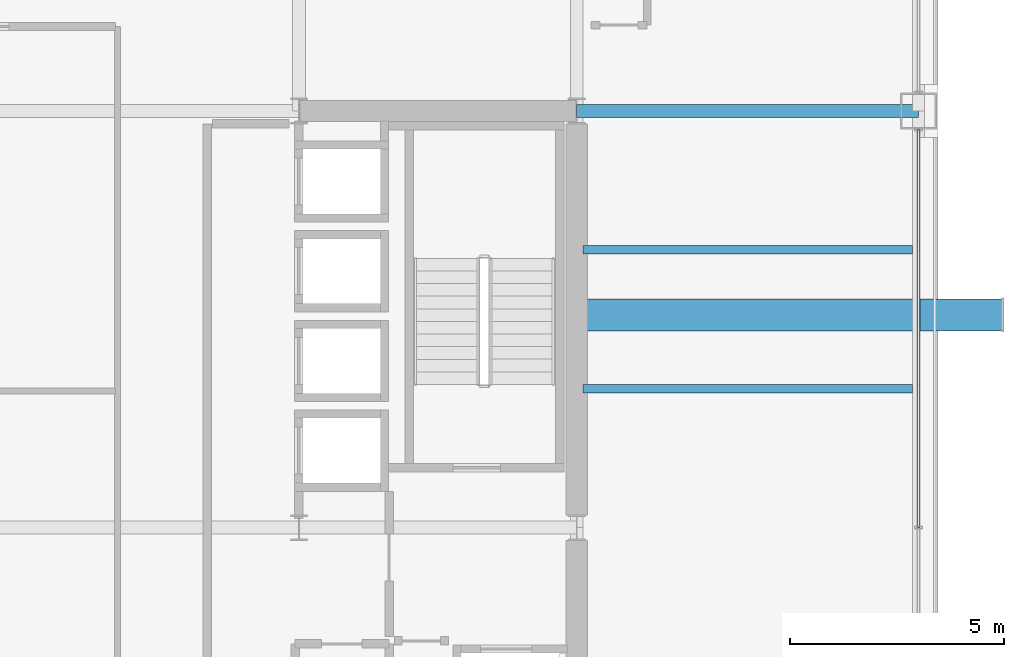
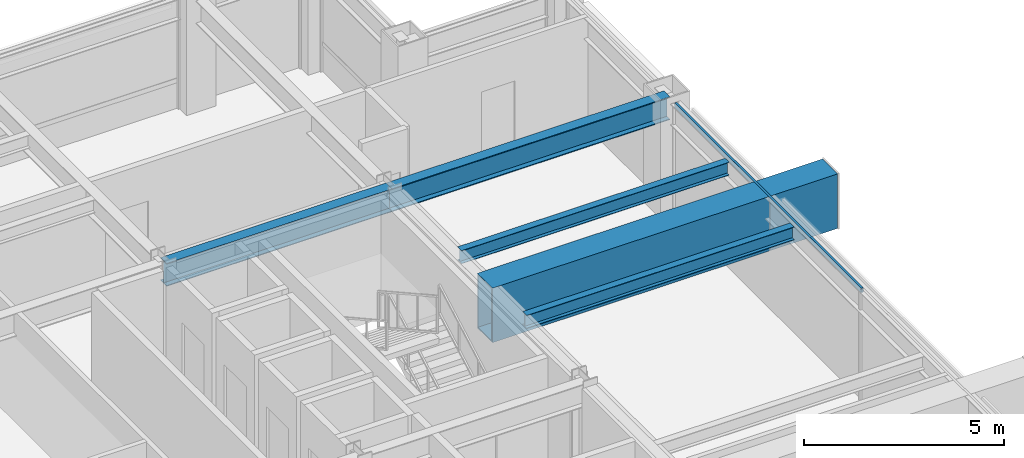
# One storey, part 19 of 34: 6 beams, 1 member, 1 element without a shape of its own.
"""IFC4 building model written with IfcOpenShell, lengths in metres."""

import ifcopenshell
import ifcopenshell.guid

model = None  # the IFC model being written
_history = None  # IfcOwnerHistory: only IFC2X3 demands one
_inside = {}  # id of a spatial element -> (the spatial element, [elements in it])
_under = {}  # id of a project, library or spatial element -> (it, [spatial elements below it])
_declared = {}  # id of a project -> (the project, [libraries it declares])
_typed = {}  # id of a type object -> (the type object, [elements of that type])
_made_of = {}  # id of a material, layer set ... -> (it, [elements and type objects made of it])


def new_model(schema):
    """Start an empty IFC model of exactly this schema.

    Asked for "IFC4X3", IfcOpenShell would pick the latest addendum, in which some entities
    have other attributes; the version numbers below select the first issue.
    IFC2X3 requires an IfcOwnerHistory on every rooted entity: one is made here for all.
    """
    global model, _history
    if schema == "IFC4X3":
        model = ifcopenshell.file(schema_version=(4, 3, 0, 0))
    else:
        model = ifcopenshell.file(schema=schema)
    _inside.clear()
    _under.clear()
    _declared.clear()
    _typed.clear()
    _made_of.clear()
    _history = None
    if model.schema == "IFC2X3":
        org = make("IfcOrganization", Name="unknown")
        user = make(
            "IfcPersonAndOrganization",
            ThePerson=make("IfcPerson", FamilyName="unknown"),
            TheOrganization=org,
        )
        app = make(
            "IfcApplication",
            ApplicationDeveloper=org,
            Version="unknown",
            ApplicationFullName="unknown",
            ApplicationIdentifier="unknown",
        )
        _history = make(
            "IfcOwnerHistory",
            OwningUser=user,
            OwningApplication=app,
            ChangeAction="ADDED",
            CreationDate=0,
        )
    return model


def make(cls, **values):
    """One entity of the class cls with the attributes given. An attribute that is None is left unset."""
    return model.create_entity(
        cls, **{name: value for name, value in values.items() if value is not None}
    )


def rooted(cls, **values):
    """An entity with a GlobalId (a new one), such as an element, a storey or a relation."""
    return make(cls, GlobalId=ifcopenshell.guid.new(), OwnerHistory=_history, **values)


def si_unit(unit_type, name, prefix=None):
    """IfcSIUnit, for example si_unit("LENGTHUNIT", "METRE", prefix="MILLI")."""
    return make("IfcSIUnit", UnitType=unit_type, Prefix=prefix, Name=name)


def assignment(units):
    """IfcUnitAssignment: the units of a project."""
    return None if units is None else make("IfcUnitAssignment", Units=units)


def point(xyz):
    """IfcCartesianPoint."""
    return None if xyz is None else make("IfcCartesianPoint", Coordinates=xyz)


def direction(xyz):
    """IfcDirection."""
    return None if xyz is None else make("IfcDirection", DirectionRatios=xyz)


def frame(location, z_axis=None, x_axis=None):
    """IfcAxis2Placement3D, a coordinate frame: its origin and axes. An axis left out is left unset."""
    return make(
        "IfcAxis2Placement3D",
        Location=point(location),
        Axis=direction(z_axis),
        RefDirection=direction(x_axis),
    )


def frame_2d(location, x_axis=None):
    """IfcAxis2Placement2D, a coordinate frame in the plane: its origin and x axis."""
    return make(
        "IfcAxis2Placement2D", Location=point(location), RefDirection=direction(x_axis)
    )


def origin():
    """The frame at (0, 0, 0) with its axes left unset."""
    return frame((0.0, 0.0, 0.0))


def origin_2d():
    """The frame at (0, 0) in the plane with its x axis left unset."""
    return frame_2d((0.0, 0.0))


def place(relative_to, where):
    """IfcLocalPlacement: puts the frame where relative to a parent placement (None: the world)."""
    return make(
        "IfcLocalPlacement", PlacementRelTo=relative_to, RelativePlacement=where
    )


def context(
    kind, dimensions, precision=None, world=None, true_north=None, identifier=None
):
    """IfcGeometricRepresentationContext, for example the 3D "Model" context."""
    return make(
        "IfcGeometricRepresentationContext",
        ContextIdentifier=identifier,
        ContextType=kind,
        CoordinateSpaceDimension=dimensions,
        Precision=precision,
        WorldCoordinateSystem=world,
        TrueNorth=true_north,
    )


def subcontext(parent, identifier, kind, view, scale=None):
    """IfcGeometricRepresentationSubContext, for example "Body" below "Model"."""
    return make(
        "IfcGeometricRepresentationSubContext",
        ContextIdentifier=identifier,
        ContextType=kind,
        ParentContext=parent,
        TargetScale=scale,
        TargetView=view,
    )


def project(units=None, contexts=None):
    """IfcProject with its units and contexts."""
    return rooted(
        "IfcProject",
        Name="project",
        RepresentationContexts=contexts,
        UnitsInContext=assignment(units),
    )


def spatial(cls, under=None, at=None, **own):
    """A site, building, storey or space (cls), placed at a placement, below another one or the project."""
    s = rooted(cls, ObjectPlacement=at, **own)
    if under is not None:
        _under.setdefault(under.id(), (under, []))[1].append(s)
    return s


def profile(cls, at=None, kind="AREA", **sizes):
    """A parametric profile (cls). Its sizes go by their IFC names, for example OverallWidth=200.0."""
    return make(cls, ProfileType=kind, Position=at, **sizes)


def hollow_rectangle(**sizes):
    """IfcRectangleHollowProfileDef."""
    return profile("IfcRectangleHollowProfileDef", **sizes)


def i_section(**sizes):
    """IfcIShapeProfileDef."""
    return profile("IfcIShapeProfileDef", **sizes)


def extrude(swept, where, along, depth):
    """IfcExtrudedAreaSolid: the profile swept, set in the frame where, extruded along a direction by depth."""
    return make(
        "IfcExtrudedAreaSolid",
        SweptArea=swept,
        Position=where,
        ExtrudedDirection=direction(along),
        Depth=depth,
    )


def shape(context_of_items, identifier, shape_type, items):
    """IfcShapeRepresentation: the items that make up one representation, for example the "Body"."""
    return make(
        "IfcShapeRepresentation",
        ContextOfItems=context_of_items,
        RepresentationIdentifier=identifier,
        RepresentationType=shape_type,
        Items=items,
    )


def material(Name=None, Category=None):
    """IfcMaterial."""
    return make("IfcMaterial", Name=Name, Category=Category)


def layer(
    of_material, thickness, ventilated=None, Name=None, Category=None, Priority=None
):
    """IfcMaterialLayer: one layer of a wall or slab, of a material (None: an air gap)."""
    return make(
        "IfcMaterialLayer",
        Material=of_material,
        LayerThickness=thickness,
        IsVentilated=ventilated,
        Name=Name,
        Category=Category,
        Priority=Priority,
    )


def layer_set(layers, Name=None):
    """IfcMaterialLayerSet."""
    return make("IfcMaterialLayerSet", MaterialLayers=layers, LayerSetName=Name)


def material_profile(
    of_material, cross_section, Name=None, Category=None, Priority=None
):
    """IfcMaterialProfile: a cross section and its material."""
    return make(
        "IfcMaterialProfile",
        Name=Name,
        Material=of_material,
        Profile=cross_section,
        Priority=Priority,
        Category=Category,
    )


def profile_set(profiles, Name=None, composite=None):
    """IfcMaterialProfileSet."""
    return make(
        "IfcMaterialProfileSet",
        Name=Name,
        MaterialProfiles=profiles,
        CompositeProfile=composite,
    )


def made_of(thing, what):
    """Note that an element or type object is made of a material, layer set ...; save() writes the relation."""
    if what is not None:
        _made_of.setdefault(what.id(), (what, []))[1].append(thing)
    return thing


def type_object(cls, material=None, **own):
    """A type object (cls), such as IfcWallType, which elements share."""
    return made_of(rooted(cls, **own), material)


def element(
    cls,
    number,
    at=None,
    inside=None,
    cuts=None,
    type_object=None,
    material=None,
    context=None,
    identifier="Body",
    shape_type=None,
    held_by="IfcProductDefinitionShape",
    body=None,
    shapes=None,
    **own,
):
    """One element of the class cls, such as IfcWall. Its Tag is "e" and its number.

    at: its placement. inside: the storey or other place that contains it. cuts: it is an
    opening in that element (IfcRelVoidsElement). A single representation is given by context,
    identifier, shape_type and body (its items); several are given by shapes. held_by: the class
    of the entity that holds the representations. save() writes the other relations.
    """
    e = rooted(cls, Tag="e%d" % number, ObjectPlacement=at, **own)
    if body is not None:
        shapes = [shape(context, identifier, shape_type, body)]
    if shapes is not None:
        e.Representation = make(held_by, Representations=shapes)
    if inside is not None:
        _inside.setdefault(inside.id(), (inside, []))[1].append(e)
    if cuts is not None:
        rooted(
            "IfcRelVoidsElement", RelatingBuildingElement=cuts, RelatedOpeningElement=e
        )
    if type_object is not None:
        _typed.setdefault(type_object.id(), (type_object, []))[1].append(e)
    return made_of(e, material)


def aggregate(whole, parts):
    """IfcRelAggregates: a whole, such as a stair, and the parts it consists of."""
    return rooted("IfcRelAggregates", RelatingObject=whole, RelatedObjects=parts)


def save(model, path):
    """Write the relations noted so far, then the file.

    IfcRelAggregates (storeys below a building ...), IfcRelContainedInSpatialStructure (elements
    in a storey), IfcRelDefinesByType, IfcRelAssociatesMaterial and IfcRelDeclares: one each for
    every whole, place, type object, material and project.
    """
    for whole, parts in _under.values():
        aggregate(whole, parts)
    for where, things in _inside.values():
        rooted(
            "IfcRelContainedInSpatialStructure",
            RelatedElements=things,
            RelatingStructure=where,
        )
    for kind, things in _typed.values():
        rooted("IfcRelDefinesByType", RelatedObjects=things, RelatingType=kind)
    for what, things in _made_of.values():
        rooted("IfcRelAssociatesMaterial", RelatedObjects=things, RelatingMaterial=what)
    for by, libraries in _declared.values():
        rooted("IfcRelDeclares", RelatingContext=by, RelatedDefinitions=libraries)
    model.write(path)


model = new_model("IFC4")

# Units and contexts
model_context = context("Model", 3, precision=1e-05, world=origin(), true_north=direction((0.0, 1.0)))
body_context = subcontext(model_context, "Body", "Model", "MODEL_VIEW")
ifc_project = project(units=[si_unit("LENGTHUNIT", "METRE"), si_unit("AREAUNIT", "SQUARE_METRE"), si_unit("VOLUMEUNIT", "CUBIC_METRE"), si_unit("PLANEANGLEUNIT", "RADIAN"), si_unit("MASSUNIT", "GRAM", prefix="KILO")], contexts=[model_context])

# Site, building, storey
site_placement = place(None, origin())
site = spatial("IfcSite", under=ifc_project, at=site_placement, CompositionType="ELEMENT")
building_placement = place(site_placement, origin())
building = spatial("IfcBuilding", under=site, at=building_placement, Name="Brelmoor Portico Tower", CompositionType="ELEMENT")
storey_placement = place(building_placement, frame((0.0, 0.0, 117.0)))
storey = spatial("IfcBuildingStorey", under=building, at=storey_placement, Name="L30", CompositionType="ELEMENT", Elevation=117.0)

# Beams
ifc_material_1 = material(Name="Steel Q355B", Category="steel")
ifc_material_profile_1 = material_profile(ifc_material_1, i_section(OverallWidth=0.199951171875, OverallDepth=0.39990234375, WebThickness=0.008056640625, FlangeThickness=0.012939453125, at=origin_2d()), Name="HN 400x200x8x13")
ifc_profile_set_1 = profile_set([ifc_material_profile_1], Name="Steel Q355B")
beam_type_1 = type_object("IfcBeamType", Name="BM-JS-400", PredefinedType="JOIST", material=ifc_profile_set_1)
for number, where, z_axis, x_axis, name in (
    (1, (14.699951171875, 3.25, 3.199951171875), (1.0, 0.0, 0.0), (0.0, 1.0, 0.0), "L30 Secondary Wing Joist JS-E11"),
    (2, (14.699951171875, 6.5, 3.199951171875), (1.0, 0.0, 0.0), (0.0, 1.0, 0.0), "L30 Secondary Wing Joist JS-E12"),
):
    element("IfcBeam", number, at=place(storey_placement, frame(where, z_axis=z_axis, x_axis=x_axis)), inside=storey, type_object=beam_type_1, Name=name, PredefinedType="JOIST", context=body_context, shape_type="SweptSolid", body=[
        extrude(i_section(OverallWidth=0.199951171875, OverallDepth=0.39990234375, WebThickness=0.008056640625, FlangeThickness=0.012939453125, at=origin_2d()), origin(), (0.0, 0.0, 1.0), 7.7099609375),
    ])
ifc_material_profile_2 = material_profile(ifc_material_1, hollow_rectangle(XDim=0.75, YDim=1.659912109375, WallThickness=0.0419921875, at=origin_2d()), Name="BOX 750x1660x42")
ifc_profile_set_2 = profile_set([ifc_material_profile_2], Name="Steel Q355B")
beam_type_2 = type_object("IfcBeamType", Name="BM-PF-CANT", PredefinedType="BEAM", material=ifc_profile_set_2)
beam_1_placement = place(storey_placement, frame((22.550048828125, 4.97998046875, 2.570068359375), z_axis=(1.0, 0.0, 0.0), x_axis=(0.0, 1.0, 0.0)))
element("IfcBeam", 3, at=beam_1_placement, inside=storey, type_object=beam_type_2, Name="L30 Picture-Frame Outrigger Transfer Cantilever PFB-04", PredefinedType="BEAM", context=body_context, shape_type="SweptSolid", body=[
    extrude(hollow_rectangle(XDim=0.75, YDim=1.659912109375, WallThickness=0.0419921875, at=origin_2d()), origin(), (0.0, 0.0, 1.0), 1.949951171875),
])
ifc_material_profile_3 = material_profile(ifc_material_1, i_section(OverallWidth=0.300048828125, OverallDepth=0.699951171875, WebThickness=0.012939453125, FlangeThickness=0.02392578125, at=origin_2d()), Name="HN 700x300x13x24")
ifc_profile_set_3 = profile_set([ifc_material_profile_3], Name="Steel Q355B")
beam_type_3 = type_object("IfcBeamType", Name="BM-PG-700", PredefinedType="BEAM", material=ifc_profile_set_3)
beam_2_placement = place(storey_placement, frame((8.050048828125, 9.75, 3.050048828125), z_axis=(1.0, 0.0, 0.0), x_axis=(0.0, 1.0, 0.0)))
element("IfcBeam", 4, at=beam_2_placement, inside=storey, type_object=beam_type_3, Name="L30 Primary Floor Girder PG-25", PredefinedType="BEAM", context=body_context, shape_type="SweptSolid", body=[
    extrude(i_section(OverallWidth=0.300048828125, OverallDepth=0.699951171875, WebThickness=0.012939453125, FlangeThickness=0.02392578125, at=origin_2d()), origin(), (0.0, 0.0, 1.0), 6.5),
])
beam_3_placement = place(storey_placement, frame((14.550048828125, 9.75, 3.050048828125), z_axis=(1.0, 0.0, 0.0), x_axis=(0.0, 1.0, 0.0)))
element("IfcBeam", 5, at=beam_3_placement, inside=storey, type_object=beam_type_3, Name="L30 Primary Floor Girder PG-26", PredefinedType="BEAM", context=body_context, shape_type="SweptSolid", body=[
    extrude(i_section(OverallWidth=0.300048828125, OverallDepth=0.699951171875, WebThickness=0.012939453125, FlangeThickness=0.02392578125, at=origin_2d()), origin(), (0.0, 0.0, 1.0), 8.0),
])
ifc_material_profile_4 = material_profile(ifc_material_1, hollow_rectangle(XDim=0.75, YDim=1.659912109375, WallThickness=0.0419921875, at=origin_2d()), Name="BOX 750x1660x42")
ifc_profile_set_4 = profile_set([ifc_material_profile_4], Name="Steel Q355B")
beam_type_4 = type_object("IfcBeamType", Name="BM-TG-Z2", PredefinedType="BEAM", material=ifc_profile_set_4)
beam_4_placement = place(storey_placement, frame((14.550048828125, 4.97998046875, 2.570068359375), z_axis=(1.0, 0.0, 0.0), x_axis=(0.0, 1.0, 0.0)))
element("IfcBeam", 6, at=beam_4_placement, inside=storey, type_object=beam_type_4, Name="L30 Picture-Frame Backspan Transfer Girder PFBS-04", PredefinedType="BEAM", context=body_context, shape_type="SweptSolid", body=[
    extrude(hollow_rectangle(XDim=0.75, YDim=1.659912109375, WallThickness=0.0419921875, at=origin_2d()), origin(), (0.0, 0.0, 1.0), 8.0),
])

# Curtain wall, member
ifc_material_2 = material(Name="Anodised Aluminium Alloy 6063-T6", Category="aluminium")
ifc_layer = layer(ifc_material_2, 0.179931640625)
ifc_layer_set = layer_set([ifc_layer], Name="Anodised Aluminium Alloy 6063-T6")
curtain_wall_type = type_object("IfcCurtainWallType", Name="CW-TOWER-Z2-XB", PredefinedType="NOTDEFINED", material=ifc_layer_set)
curtain_wall_placement = place(storey_placement, origin())
curtain_wall = element("IfcCurtainWall", 7, at=curtain_wall_placement, inside=storey, type_object=curtain_wall_type, Name="L30 Curtain Wall CW-L30-04-2", PredefinedType="NOTDEFINED")
ifc_material_profile_5 = material_profile(ifc_material_2, hollow_rectangle(XDim=0.06494140625, YDim=0.139892578125, WallThickness=0.00390625, at=origin_2d()), Name="ALU TRANSOM 65x140")
ifc_profile_set_5 = profile_set([ifc_material_profile_5], Name="Anodised Aluminium Alloy 6063-T6")
member_type = type_object("IfcMemberType", Name="MB-CW-TRAN-140", PredefinedType="USERDEFINED", material=ifc_profile_set_5)
member_placement = place(storey_placement, frame((22.550048828125, 0.0, 3.330078125), z_axis=(0.0, 1.0, 0.0), x_axis=(-1.0, 0.0, 0.0)))
member = element("IfcMember", 8, at=member_placement, type_object=member_type, Name="CW-L30-04-2 Transom 1-01", ObjectType="TRANSOM", PredefinedType="USERDEFINED", context=body_context, shape_type="SweptSolid", body=[
    extrude(hollow_rectangle(XDim=0.06494140625, YDim=0.139892578125, WallThickness=0.00390625, at=origin_2d()), origin(), (0.0, 0.0, 1.0), 9.31494140625),
])
aggregate(curtain_wall, [member])

save(model, "model.ifc")
